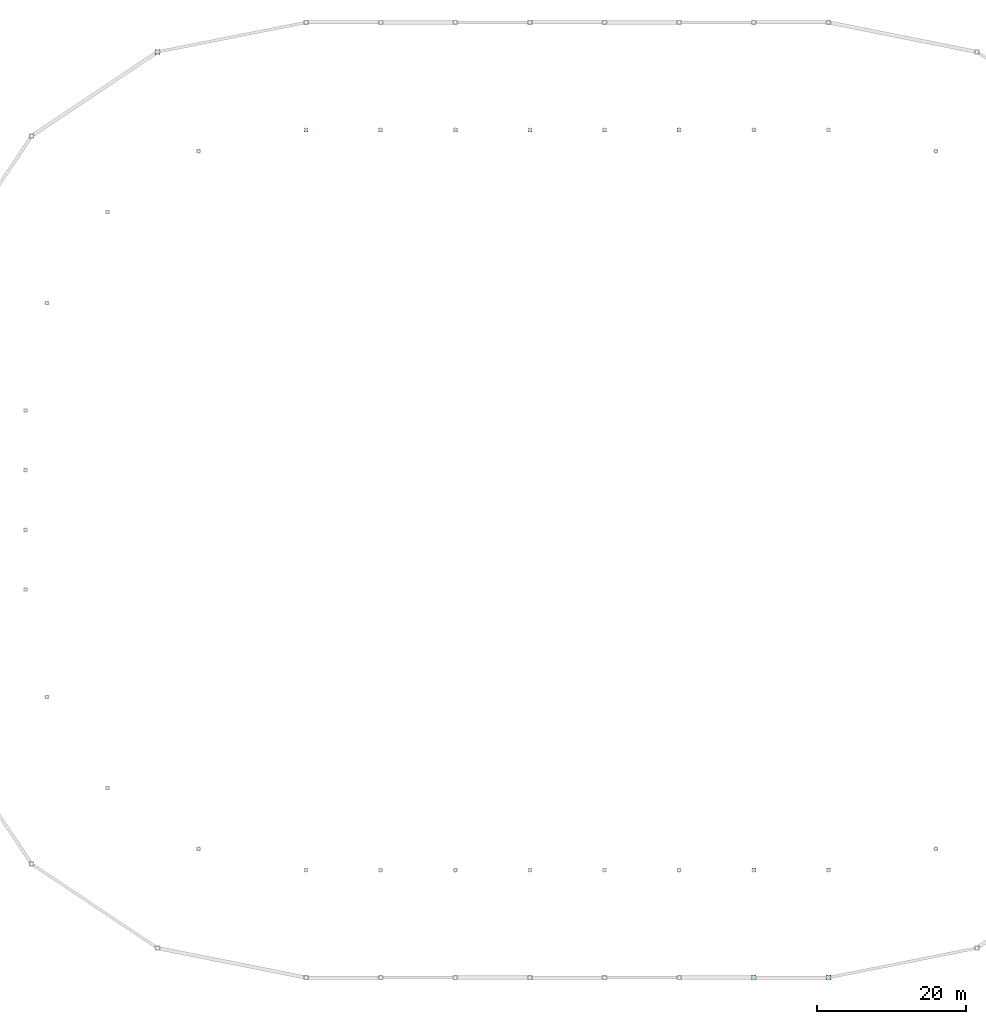
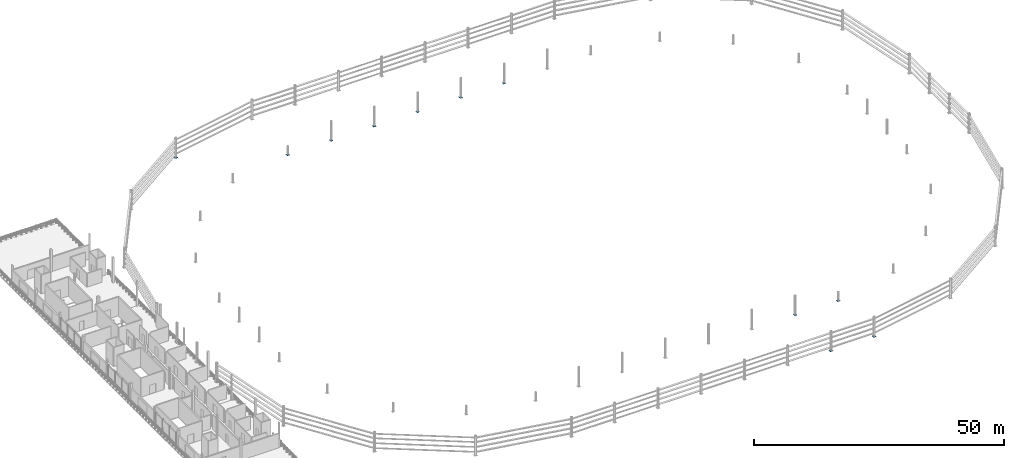
# One storey, part 21 of 29: 11 plates.
"""IFC4 building model written with IfcOpenShell, lengths in metres."""

from ifc_helpers import new_model, si_unit, direction, frame, origin, origin_2d, place, context, subcontext, project, spatial, rectangle, extrude, material, layer, layer_set, type_object, element, save


model = new_model("IFC4")

# Units and contexts
model_context = context("Model", 3, precision=1e-05, world=origin(), true_north=direction((0.0, 1.0)))
body_context = subcontext(model_context, "Body", "Model", "MODEL_VIEW")
ifc_project = project(units=[si_unit("LENGTHUNIT", "METRE"), si_unit("AREAUNIT", "SQUARE_METRE"), si_unit("VOLUMEUNIT", "CUBIC_METRE"), si_unit("PLANEANGLEUNIT", "RADIAN"), si_unit("MASSUNIT", "GRAM", prefix="KILO")], contexts=[model_context])

# Site, building, storey
site_placement = place(None, origin())
site = spatial("IfcSite", under=ifc_project, at=site_placement, CompositionType="ELEMENT")
building_placement = place(site_placement, origin())
building = spatial("IfcBuilding", under=site, at=building_placement, Name="Candeia Ridge Stadium", CompositionType="ELEMENT")
storey_placement = place(building_placement, frame((0.0, 0.0, 27.0)))
storey = spatial("IfcBuildingStorey", under=building, at=storey_placement, Name="L05", CompositionType="ELEMENT", Elevation=27.0)

# Plates
ifc_material = material(Name="Steel ASTM A572 Grade 50", Category="steel")
ifc_layer = layer(ifc_material, 0.02490234375, Name="Steel ASTM A572 Grade 50", Category="steel")
ifc_layer_set = layer_set([ifc_layer], Name="Steel ASTM A572 Grade 50")
plate_type = type_object("IfcPlateType", Name="Hollow Section End Closure Plate CP1", PredefinedType="SHEET", material=ifc_layer_set)
for number, where, z_axis, x_axis, name in (
    (1, (121.0, 132.60009765625, -0.012451171875), (0.0, 0.0, 1.0), (1.0, 0.0, 0.0), "Hollow section end closure plate MCAP-B-BC-MD-02"),
    (2, (111.0, 132.60009765625, -0.012451171875), (0.0, 0.0, 1.0), (1.0, 0.0, 0.0), "Hollow section end closure plate MCAP-B-BC-MD-03"),
    (3, (101.0, 132.60009765625, -0.012451171875), (0.0, 0.0, 1.0), (1.0, 0.0, 0.0), "Hollow section end closure plate MCAP-B-BC-MD-04"),
    (4, (91.0, 132.60009765625, -0.012451171875), (0.0, 0.0, 1.0), (1.0, 0.0, 0.0), "Hollow section end closure plate MCAP-B-BC-MD-05"),
    (5, (81.0, 132.60009765625, -0.012451171875), (0.0, 0.0, 1.0), (1.0, 0.0, 0.0), "Hollow section end closure plate MCAP-B-BC-MD-06"),
    (6, (71.0, 132.60009765625, -0.012451171875), (0.0, 0.0, 1.0), (1.0, 0.0, 0.0), "Hollow section end closure plate MCAP-B-BC-MD-07"),
):
    element("IfcPlate", number, at=place(storey_placement, frame(where, z_axis=z_axis, x_axis=x_axis)), inside=storey, type_object=plate_type, Name=name, PredefinedType="SHEET", context=body_context, shape_type="SweptSolid", body=[
        extrude(rectangle(XDim=0.5400390625, YDim=0.5400390625, at=origin_2d()), origin(), (0.0, 0.0, 1.0), 0.02490234375),
    ])
plate_1_placement = place(storey_placement, frame((51.100341796875, 143.041748046875, -0.012451171875), z_axis=(0.0, 0.0, 1.0), x_axis=(1.0, 0.0, 0.0)))
element("IfcPlate", 7, at=plate_1_placement, inside=storey, type_object=plate_type, Name="Hollow section end closure plate MCAP-B-BC-OU-08", PredefinedType="SHEET", context=body_context, shape_type="SweptSolid", body=[
    extrude(rectangle(XDim=0.639892578125, YDim=0.639892578125, at=origin_2d()), origin(), (0.0, 0.0, 1.0), 0.02490234375),
])
plate_2_placement = place(storey_placement, frame((131.0, 33.39990234375, -0.012451171875), z_axis=(0.0, 0.0, 1.0), x_axis=(1.0, 0.0, 0.0)))
element("IfcPlate", 8, at=plate_2_placement, inside=storey, type_object=plate_type, Name="Hollow section end closure plate MCAP-B-BC-MD-24", PredefinedType="SHEET", context=body_context, shape_type="SweptSolid", body=[
    extrude(rectangle(XDim=0.5400390625, YDim=0.5400390625, at=origin_2d()), origin(), (0.0, 0.0, 1.0), 0.02490234375),
])
plate_3_placement = place(storey_placement, frame((131.0, 19.0, -0.012451171875), z_axis=(0.0, 0.0, 1.0), x_axis=(1.0, 0.0, 0.0)))
element("IfcPlate", 9, at=plate_3_placement, inside=storey, type_object=plate_type, Name="Hollow section end closure plate MCAP-B-BC-OU-24", PredefinedType="SHEET", context=body_context, shape_type="SweptSolid", body=[
    extrude(rectangle(XDim=0.639892578125, YDim=0.639892578125, at=origin_2d()), origin(), (0.0, 0.0, 1.0), 0.02490234375),
])
plate_4_placement = place(storey_placement, frame((141.0, 33.39990234375, -0.012451171875), z_axis=(0.0, 0.0, 1.0), x_axis=(1.0, 0.0, 0.0)))
element("IfcPlate", 10, at=plate_4_placement, inside=storey, type_object=plate_type, Name="Hollow section end closure plate MCAP-B-BC-MD-25", PredefinedType="SHEET", context=body_context, shape_type="SweptSolid", body=[
    extrude(rectangle(XDim=0.5400390625, YDim=0.5400390625, at=origin_2d()), origin(), (0.0, 0.0, 1.0), 0.02490234375),
])
plate_5_placement = place(storey_placement, frame((141.0, 19.0, -0.012451171875), z_axis=(0.0, 0.0, 1.0), x_axis=(1.0, 0.0, 0.0)))
element("IfcPlate", 11, at=plate_5_placement, inside=storey, type_object=plate_type, Name="Hollow section end closure plate MCAP-B-BC-OU-25", PredefinedType="SHEET", context=body_context, shape_type="SweptSolid", body=[
    extrude(rectangle(XDim=0.639892578125, YDim=0.639892578125, at=origin_2d()), origin(), (0.0, 0.0, 1.0), 0.02490234375),
])

save(model, "model.ifc")
